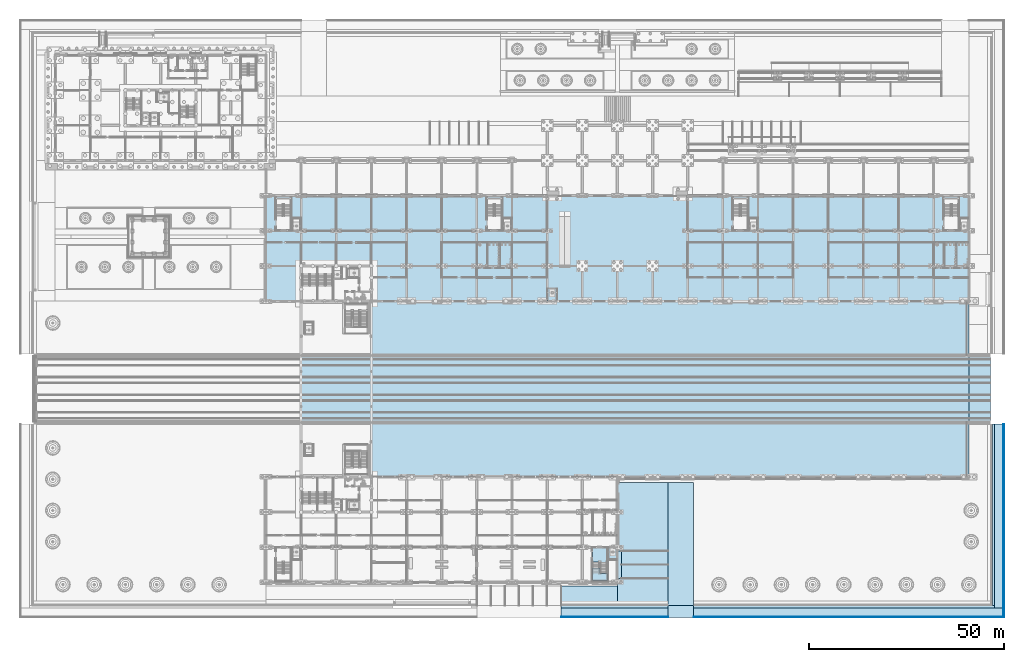
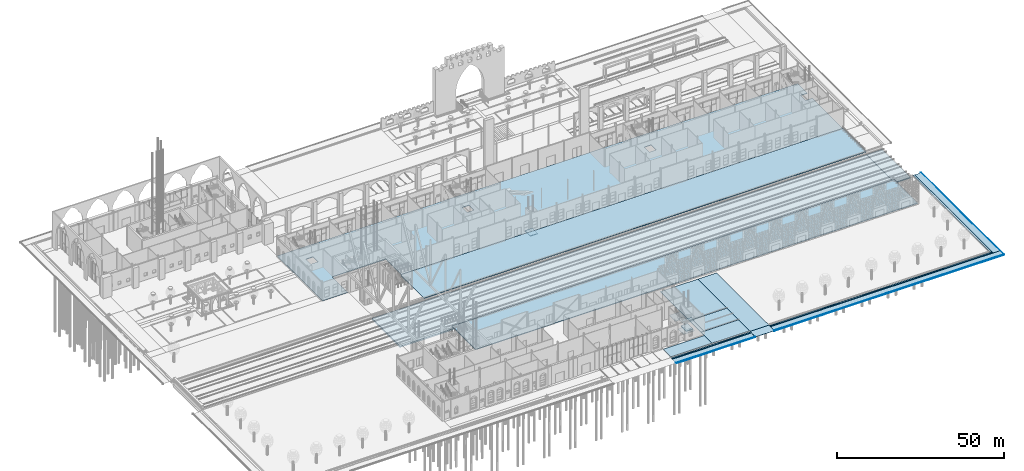
# One storey, part 78 of 250: 26 slabs, 1 element without a shape of its own.
"""IFC4 building model written with IfcOpenShell, lengths in metres."""

from ifc_helpers import new_model, si_unit, direction, frame, origin, place, context, subcontext, project, spatial, polyline, outline, extrude, material, layer, layer_set, type_object, element, aggregate, save


model = new_model("IFC4")

# Units and contexts
model_context = context("Model", 3, precision=1e-05, world=origin(), true_north=direction((0.0, 1.0)))
body_context = subcontext(model_context, "Body", "Model", "MODEL_VIEW")
ifc_project = project(units=[si_unit("LENGTHUNIT", "METRE"), si_unit("AREAUNIT", "SQUARE_METRE"), si_unit("VOLUMEUNIT", "CUBIC_METRE"), si_unit("PLANEANGLEUNIT", "RADIAN"), si_unit("MASSUNIT", "GRAM", prefix="KILO")], contexts=[model_context])

# Site, building, storey
site_placement = place(None, origin())
site = spatial("IfcSite", under=ifc_project, at=site_placement, CompositionType="ELEMENT")
building_placement = place(site_placement, origin())
building = spatial("IfcBuilding", under=site, at=building_placement, Name="Baradari Gate Terminus", CompositionType="ELEMENT")
storey_placement = place(building_placement, origin())
storey = spatial("IfcBuildingStorey", under=building, at=storey_placement, Name="L00", CompositionType="ELEMENT", Elevation=0.0)

# Slabs
ifc_material_1 = material(Name="Concrete C32/40", Category="concrete")
ifc_layer_1 = layer(ifc_material_1, 0.12)
ifc_material_2 = material(Name="Asphalt")
ifc_layer_2 = layer(ifc_material_2, 0.08)
ifc_layer_set_1 = layer_set([ifc_layer_1, ifc_layer_2], Name="Concrete C32/40")
slab_type_1 = type_object("IfcSlabType", Name="Asphalt carriageway slab SL14 200", PredefinedType="BASESLAB", material=ifc_layer_set_1)
slab_1_placement = place(storey_placement, frame((0.0, 0.0, -0.199951171875)))
element("IfcSlab", 1, at=slab_1_placement, inside=storey, type_object=slab_type_1, Name="Service bays", PredefinedType="BASESLAB", context=body_context, shape_type="SweptSolid", body=[
    extrude(outline(polyline([(166.0, 10.0), (166.0, 17.0), (154.0, 17.0), (154.0, 10.0), (166.0, 10.0)])), origin(), (0.0, 0.0, 1.0), 0.199951171875),
])
slab_2_placement = place(storey_placement, frame((0.0, 0.0, -0.199951171875)))
element("IfcSlab", 2, at=slab_2_placement, inside=storey, type_object=slab_type_1, Name="Service drive", PredefinedType="BASESLAB", context=body_context, shape_type="SweptSolid", body=[
    extrude(outline(polyline([(172.5, 3.0), (172.5, 34.5), (166.0, 34.5), (166.0, 3.0), (172.5, 3.0)])), origin(), (0.0, 0.0, 1.0), 0.199951171875),
])
ifc_layer_3 = layer(ifc_material_1, 0.11)
ifc_material_3 = material(Name="Concrete paving flags", Category="concrete")
ifc_layer_4 = layer(ifc_material_3, 0.04)
ifc_layer_set_2 = layer_set([ifc_layer_3, ifc_layer_4], Name="Concrete C32/40")
slab_type_2 = type_object("IfcSlabType", Name="Concrete paving slab SL12 150", PredefinedType="BASESLAB", material=ifc_layer_set_2)
slab_3_placement = place(storey_placement, frame((0.0, 0.0, -0.14990234375)))
element("IfcSlab", 3, at=slab_3_placement, inside=storey, type_object=slab_type_2, Name="South front paving 3", PredefinedType="BASESLAB", context=body_context, shape_type="SweptSolid", body=[
    extrude(outline(polyline([(153.0, 3.39990234375), (153.0, 8.0), (138.60009765625, 8.0), (138.60009765625, 3.39990234375), (153.0, 3.39990234375)])), origin(), (0.0, 0.0, 1.0), 0.14990234375),
])
slab_4_placement = place(storey_placement, frame((0.0, 0.0, -0.14990234375)))
element("IfcSlab", 4, at=slab_4_placement, inside=storey, type_object=slab_type_2, Name="Service apron paving 1", PredefinedType="BASESLAB", context=body_context, shape_type="SweptSolid", body=[
    extrude(outline(polyline([(166.0, 3.39990234375), (166.0, 10.0), (153.0, 10.0), (153.0, 3.39990234375), (166.0, 3.39990234375)])), origin(), (0.0, 0.0, 1.0), 0.14990234375),
])
slab_5_placement = place(storey_placement, frame((0.0, 0.0, -0.14990234375)))
element("IfcSlab", 5, at=slab_5_placement, inside=storey, type_object=slab_type_2, Name="Service apron paving 2", PredefinedType="BASESLAB", context=body_context, shape_type="SweptSolid", body=[
    extrude(outline(polyline([(154.0, 10.0), (154.0, 17.0), (153.0, 17.0), (153.0, 10.0), (154.0, 10.0)])), origin(), (0.0, 0.0, 1.0), 0.14990234375),
])
slab_6_placement = place(storey_placement, frame((0.0, 0.0, -0.14990234375)))
element("IfcSlab", 6, at=slab_6_placement, inside=storey, type_object=slab_type_2, Name="Service apron paving 3", PredefinedType="BASESLAB", context=body_context, shape_type="SweptSolid", body=[
    extrude(outline(polyline([(166.0, 17.0), (166.0, 34.5), (153.0, 34.5), (153.0, 17.0), (166.0, 17.0)])), origin(), (0.0, 0.0, 1.0), 0.14990234375),
])
ifc_layer_5 = layer(ifc_material_1, 0.03)
ifc_layer_6 = layer(ifc_material_2, 0.04)
ifc_layer_set_3 = layer_set([ifc_layer_5, ifc_layer_6], Name="Concrete C32/40")
slab_type_3 = type_object("IfcSlabType", Name="Dropped-kerb vehicle crossing slab SL22 70", PredefinedType="BASESLAB", material=ifc_layer_set_3)
slab_7_placement = place(storey_placement, frame((166.0, 0.0, -0.260009765625), z_axis=(0.0, -0.086346226202, 0.996265190208), x_axis=(1.0, 0.0, 0.0)))
element("IfcSlab", 7, at=slab_7_placement, inside=storey, type_object=slab_type_3, Name="Dropped-kerb crossing Service drive gate", PredefinedType="BASESLAB", context=body_context, shape_type="SweptSolid", body=[
    extrude(outline(polyline([(0.0, 0.0), (6.5, 0.0), (6.5, 3.011246432662124), (0.0, 3.011246432662124), (0.0, 0.0)])), origin(), (0.0, 0.0, -1.0), 0.070068359375),
])
ifc_layer_7 = layer(ifc_material_1, 0.04)
ifc_layer_8 = layer(ifc_material_3, 0.04)
ifc_layer_set_4 = layer_set([ifc_layer_7, ifc_layer_8], Name="Concrete C32/40")
slab_type_4 = type_object("IfcSlabType", Name="Footpath paving slab SL19 80", PredefinedType="BASESLAB", material=ifc_layer_set_4)
slab_8_placement = place(storey_placement, frame((0.0, 0.0, -0.340087890625)))
element("IfcSlab", 8, at=slab_8_placement, inside=storey, type_object=slab_type_4, Name="Footpath 1", PredefinedType="BASESLAB", context=body_context, shape_type="SweptSolid", body=[
    extrude(outline(polyline([(251.800048828125, 0.199951171875), (251.800048828125, 2.39990234375), (172.5, 2.39990234375), (172.5, 0.199951171875), (251.800048828125, 0.199951171875)])), origin(), (0.0, 0.0, 1.0), 0.080078125),
])
slab_9_placement = place(storey_placement, frame((0.0, 0.0, -0.340087890625)))
element("IfcSlab", 9, at=slab_9_placement, inside=storey, type_object=slab_type_4, Name="Footpath 2", PredefinedType="BASESLAB", context=body_context, shape_type="SweptSolid", body=[
    extrude(outline(polyline([(251.800048828125, 2.39990234375), (251.800048828125, 49.5), (249.60009765625, 49.5), (249.60009765625, 2.39990234375), (251.800048828125, 2.39990234375)])), origin(), (0.0, 0.0, 1.0), 0.080078125),
])
slab_10_placement = place(storey_placement, frame((0.0, 0.0, -0.340087890625)))
element("IfcSlab", 10, at=slab_10_placement, inside=storey, type_object=slab_type_4, Name="Footpath 6", PredefinedType="BASESLAB", context=body_context, shape_type="SweptSolid", body=[
    extrude(outline(polyline([(166.0, 0.199951171875), (166.0, 2.39990234375), (138.60009765625, 2.39990234375), (138.60009765625, 0.199951171875), (166.0, 0.199951171875)])), origin(), (0.0, 0.0, 1.0), 0.080078125),
])
ifc_layer_9 = layer(ifc_material_1, 0.04)
ifc_material_4 = material(Name="Granite kerb", Category="masonry")
ifc_layer_10 = layer(ifc_material_4, 0.04)
ifc_layer_set_5 = layer_set([ifc_layer_9, ifc_layer_10], Name="Concrete C32/40")
slab_type_5 = type_object("IfcSlabType", Name="Granite kerb course SL20 80", PredefinedType="BASESLAB", material=ifc_layer_set_5)
slab_11_placement = place(storey_placement, frame((0.0, 0.0, -0.340087890625)))
element("IfcSlab", 11, at=slab_11_placement, inside=storey, type_object=slab_type_5, Name="Kerb course 1", PredefinedType="BASESLAB", context=body_context, shape_type="SweptSolid", body=[
    extrude(outline(polyline([(252.0, 0.0), (252.0, 0.199951171875), (172.5, 0.199951171875), (172.5, 0.0), (252.0, 0.0)])), origin(), (0.0, 0.0, 1.0), 0.080078125),
])
slab_12_placement = place(storey_placement, frame((0.0, 0.0, -0.340087890625)))
element("IfcSlab", 12, at=slab_12_placement, inside=storey, type_object=slab_type_5, Name="Kerb course 2", PredefinedType="BASESLAB", context=body_context, shape_type="SweptSolid", body=[
    extrude(outline(polyline([(252.0, 0.199951171875), (252.0, 49.5), (251.800048828125, 49.5), (251.800048828125, 0.199951171875), (252.0, 0.199951171875)])), origin(), (0.0, 0.0, 1.0), 0.080078125),
])
slab_13_placement = place(storey_placement, frame((0.0, 0.0, -0.340087890625)))
element("IfcSlab", 13, at=slab_13_placement, inside=storey, type_object=slab_type_5, Name="Kerb course 6", PredefinedType="BASESLAB", context=body_context, shape_type="SweptSolid", body=[
    extrude(outline(polyline([(166.0, 0.0), (166.0, 0.199951171875), (138.60009765625, 0.199951171875), (138.60009765625, 0.0), (166.0, 0.0)])), origin(), (0.0, 0.0, 1.0), 0.080078125),
])
ifc_material_5 = material(Name="Concrete C35/45", Category="concrete")
ifc_layer_11 = layer(ifc_material_5, 0.199951171875)
ifc_layer_set_6 = layer_set([ifc_layer_11], Name="Concrete C35/45")
slab_type_6 = type_object("IfcSlabType", Name="Ground slab SL3 200", PredefinedType="BASESLAB", material=ifc_layer_set_6)
slab_14_placement = place(storey_placement, frame((0.0, 0.0, -0.199951171875)))
element("IfcSlab", 14, at=slab_14_placement, inside=storey, type_object=slab_type_6, Name="Head-house floor", PredefinedType="BASESLAB", context=body_context, shape_type="SweptSolid", body=[
    extrude(outline(polyline([(63.0, 81.0), (71.699951171875, 81.0), (71.699951171875, 81.300048828125), (71.699951171875, 89.699951171875), (71.699951171875, 90.300048828125), (90.300048828125, 90.300048828125), (90.300048828125, 89.699951171875), (90.300048828125, 81.300048828125), (90.300048828125, 81.0), (243.0, 81.0), (243.0, 99.199951171875), (240.60009765625, 99.199951171875), (240.60009765625, 102.199951171875), (243.0, 102.199951171875), (243.0, 108.0), (63.0, 108.0), (63.0, 81.0)]), holes=[polyline([(189.0, 99.199951171875), (189.0, 102.199951171875), (186.60009765625, 102.199951171875), (186.60009765625, 99.199951171875), (189.0, 99.199951171875)]), polyline([(126.0, 102.199951171875), (123.60009765625, 102.199951171875), (123.60009765625, 99.199951171875), (126.0, 99.199951171875), (126.0, 102.199951171875)]), polyline([(69.60009765625, 102.199951171875), (69.60009765625, 99.199951171875), (72.0, 99.199951171875), (72.0, 102.199951171875), (69.60009765625, 102.199951171875)])]), origin(), (0.0, 0.0, 1.0), 0.199951171875),
])
ifc_material_6 = material(Name="Concrete C32/40", Category="concrete")
ifc_layer_12 = layer(ifc_material_6, 0.300048828125)
ifc_layer_set_7 = layer_set([ifc_layer_12], Name="Concrete C32/40")
slab_type_7 = type_object("IfcSlabType", Name="Lift pit slab LP-1 300", PredefinedType="BASESLAB", material=ifc_layer_set_7)
slab_15_placement = place(storey_placement, frame((0.0, 0.0, -1.89990234375)))
element("IfcSlab", 15, at=slab_15_placement, inside=storey, type_object=slab_type_7, Name="Lift pit slab LP-1 LHL", PredefinedType="BASESLAB", context=body_context, shape_type="SweptSolid", body=[
    extrude(outline(polyline([(135.0, 81.10009765625), (135.0, 84.39990234375), (137.60009765625, 84.39990234375), (137.60009765625, 81.10009765625), (135.0, 81.10009765625)])), origin(), (0.0, 0.0, 1.0), 0.2998046875),
])
slab_16_placement = place(storey_placement, frame((0.0, 0.0, -1.89990234375)))
element("IfcSlab", 16, at=slab_16_placement, inside=storey, type_object=slab_type_7, Name="Lift pit slab LP-1 LSW2", PredefinedType="BASESLAB", context=body_context, shape_type="SweptSolid", body=[
    extrude(outline(polyline([(150.60009765625, 14.699951171875), (150.60009765625, 18.0), (153.0, 18.0), (153.0, 14.699951171875), (150.60009765625, 14.699951171875)])), origin(), (0.0, 0.0, 1.0), 0.2998046875),
])
ifc_material_7 = material(Name="Concrete C35/45", Category="concrete")
ifc_layer_13 = layer(ifc_material_7, 0.25)
ifc_layer_set_8 = layer_set([ifc_layer_13], Name="Concrete C35/45")
slab_type_8 = type_object("IfcSlabType", Name="Platform slab SL4 250", PredefinedType="FLOOR", material=ifc_layer_set_8)
slab_17_placement = place(storey_placement, frame((0.0, 0.0, -0.25)))
element("IfcSlab", 17, at=slab_17_placement, inside=storey, type_object=slab_type_8, Name="Platform 1 slab", PredefinedType="FLOOR", context=body_context, shape_type="SweptSolid", body=[
    extrude(outline(polyline([(90.0, 50.050048828125), (90.0, 36.300048828125), (90.300048828125, 36.300048828125), (90.300048828125, 36.0), (243.0, 36.0), (243.0, 50.050048828125), (90.0, 50.050048828125)])), origin(), (0.0, 0.0, 1.0), 0.25),
])
slab_18_placement = place(storey_placement, frame((0.0, 0.0, -0.25)))
element("IfcSlab", 18, at=slab_18_placement, inside=storey, type_object=slab_type_8, Name="Platform 2 slab", PredefinedType="FLOOR", context=body_context, shape_type="SweptSolid", body=[
    extrude(outline(polyline([(90.0, 80.699951171875), (90.0, 66.949951171875), (243.0, 66.949951171875), (243.0, 81.0), (90.300048828125, 81.0), (90.300048828125, 80.699951171875), (90.0, 80.699951171875)])), origin(), (0.0, 0.0, 1.0), 0.25),
])
ifc_material_8 = material(Name="Sandstone masonry", Category="masonry")
ifc_layer_14 = layer(ifc_material_8, 0.2099609375)
ifc_layer_set_9 = layer_set([ifc_layer_14], Name="Sandstone masonry")
slab_type_9 = type_object("IfcSlabType", Name="Sandstone plinth step PL-1 210", PredefinedType="BASESLAB", material=ifc_layer_set_9)
slab_19_placement = place(storey_placement, frame((0.0, 0.0, -0.340087890625)))
element("IfcSlab", 19, at=slab_19_placement, inside=storey, type_object=slab_type_9, Name="Plinth step 1", PredefinedType="BASESLAB", context=body_context, shape_type="SweptSolid", body=[
    extrude(outline(polyline([(249.60009765625, 2.39990234375), (249.60009765625, 3.0), (172.5, 3.0), (172.5, 2.39990234375), (249.60009765625, 2.39990234375)])), origin(), (0.0, 0.0, 1.0), 0.210205078125),
])
slab_20_placement = place(storey_placement, frame((0.0, 0.0, -0.340087890625)))
element("IfcSlab", 20, at=slab_20_placement, inside=storey, type_object=slab_type_9, Name="Plinth step 2", PredefinedType="BASESLAB", context=body_context, shape_type="SweptSolid", body=[
    extrude(outline(polyline([(249.60009765625, 3.0), (249.60009765625, 49.5), (249.0, 49.5), (249.0, 3.0), (249.60009765625, 3.0)])), origin(), (0.0, 0.0, 1.0), 0.210205078125),
])
slab_21_placement = place(storey_placement, frame((0.0, 0.0, -0.340087890625)))
element("IfcSlab", 21, at=slab_21_placement, inside=storey, type_object=slab_type_9, Name="Plinth step 7", PredefinedType="BASESLAB", context=body_context, shape_type="SweptSolid", body=[
    extrude(outline(polyline([(166.0, 2.39990234375), (166.0, 3.0), (138.60009765625, 3.0), (138.60009765625, 2.39990234375), (166.0, 2.39990234375)])), origin(), (0.0, 0.0, 1.0), 0.210205078125),
])

# Stair, slabs
ifc_material_9 = material(Name="Concrete C32/40", Category="concrete")
stair_type = type_object("IfcStairType", Name="Exit stair ST-SW2 riser 170 x 1800", PredefinedType="DOUBLE_RETURN_STAIR", material=ifc_material_9)
stair_placement = place(storey_placement, origin())
stair = element("IfcStair", 22, at=stair_placement, inside=storey, type_object=stair_type, Name="Stair ST-SW2 L00 to L01", PredefinedType="DOUBLE_RETURN_STAIR")
ifc_material_10 = material(Name="Concrete C32/40", Category="concrete")
ifc_layer_15 = layer(ifc_material_10, 0.175048828125)
ifc_layer_set_10 = layer_set([ifc_layer_15], Name="Concrete C32/40")
slab_type_10 = type_object("IfcSlabType", Name="Stair landing LS-4 175", PredefinedType="LANDING", material=ifc_layer_set_10)
slab_22_placement = place(storey_placement, frame((0.0, 0.0, 1.699951171875)))
slab_22 = element("IfcSlab", 23, at=slab_22_placement, type_object=slab_type_10, Name="ST-SW2 landing 1", PredefinedType="LANDING", context=body_context, shape_type="SweptSolid", body=[
    extrude(outline(polyline([(150.39990234375, 9.39990234375), (150.39990234375, 11.219970703125), (148.60009765625, 11.219970703125), (148.60009765625, 12.60009765625), (148.39990234375, 12.60009765625), (146.60009765625, 12.60009765625), (146.60009765625, 9.39990234375), (150.39990234375, 9.39990234375)])), origin(), (0.0, 0.0, 1.0), 0.175048828125),
])
slab_23_placement = place(storey_placement, frame((0.0, 0.0, 3.574951171875)))
slab_23 = element("IfcSlab", 24, at=slab_23_placement, type_object=slab_type_10, Name="ST-SW2 landing 2", PredefinedType="LANDING", context=body_context, shape_type="SweptSolid", body=[
    extrude(outline(polyline([(150.39990234375, 17.800048828125), (150.39990234375, 12.800048828125), (148.60009765625, 12.800048828125), (148.60009765625, 14.179931640625), (148.39990234375, 14.179931640625), (146.60009765625, 14.179931640625), (146.60009765625, 17.800048828125), (150.39990234375, 17.800048828125)])), origin(), (0.0, 0.0, 1.0), 0.175048828125),
])
slab_24_placement = place(storey_placement, frame((0.0, 0.0, 5.449951171875)))
slab_24 = element("IfcSlab", 25, at=slab_24_placement, type_object=slab_type_10, Name="ST-SW2 landing 3", PredefinedType="LANDING", context=body_context, shape_type="SweptSolid", body=[
    extrude(outline(polyline([(150.39990234375, 9.39990234375), (150.39990234375, 11.219970703125), (148.60009765625, 11.219970703125), (148.60009765625, 12.60009765625), (148.39990234375, 12.60009765625), (146.60009765625, 12.60009765625), (146.60009765625, 9.39990234375), (150.39990234375, 9.39990234375)])), origin(), (0.0, 0.0, 1.0), 0.175048828125),
])
aggregate(stair, [slab_22, slab_23, slab_24])

# Slabs
ifc_material_11 = material(Name="Concrete C35/45", Category="concrete")
ifc_layer_16 = layer(ifc_material_11, 0.39990234375)
ifc_layer_set_11 = layer_set([ifc_layer_16], Name="Concrete C35/45")
slab_type_11 = type_object("IfcSlabType", Name="Track slab outside the shed SL9 400", PredefinedType="BASESLAB", material=ifc_layer_set_11)
slab_25_placement = place(storey_placement, frame((0.0, 0.0, -1.471923828125)))
element("IfcSlab", 26, at=slab_25_placement, inside=storey, type_object=slab_type_11, Name="Track slab east of the shed", PredefinedType="BASESLAB", context=body_context, shape_type="SweptSolid", body=[
    extrude(outline(polyline([(248.5, 50.050048828125), (248.5, 66.949951171875), (243.0, 66.949951171875), (243.0, 50.050048828125), (248.5, 50.050048828125)])), origin(), (0.0, 0.0, 1.0), 0.39990234375),
])
ifc_material_12 = material(Name="Concrete C35/45", Category="concrete")
ifc_layer_17 = layer(ifc_material_12, 0.5)
ifc_layer_set_12 = layer_set([ifc_layer_17], Name="Concrete C35/45")
slab_type_12 = type_object("IfcSlabType", Name="Track trough slab SL5 500", PredefinedType="BASESLAB", material=ifc_layer_set_12)
slab_26_placement = place(storey_placement, frame((0.0, 0.0, -1.572021484375)))
element("IfcSlab", 27, at=slab_26_placement, inside=storey, type_object=slab_type_12, Name="Track trough slab", PredefinedType="BASESLAB", context=body_context, shape_type="SweptSolid", body=[
    extrude(outline(polyline([(243.0, 50.050048828125), (243.0, 66.949951171875), (72.0, 66.949951171875), (72.0, 50.050048828125), (243.0, 50.050048828125)])), origin(), (0.0, 0.0, 1.0), 0.5),
])

save(model, "model.ifc")
